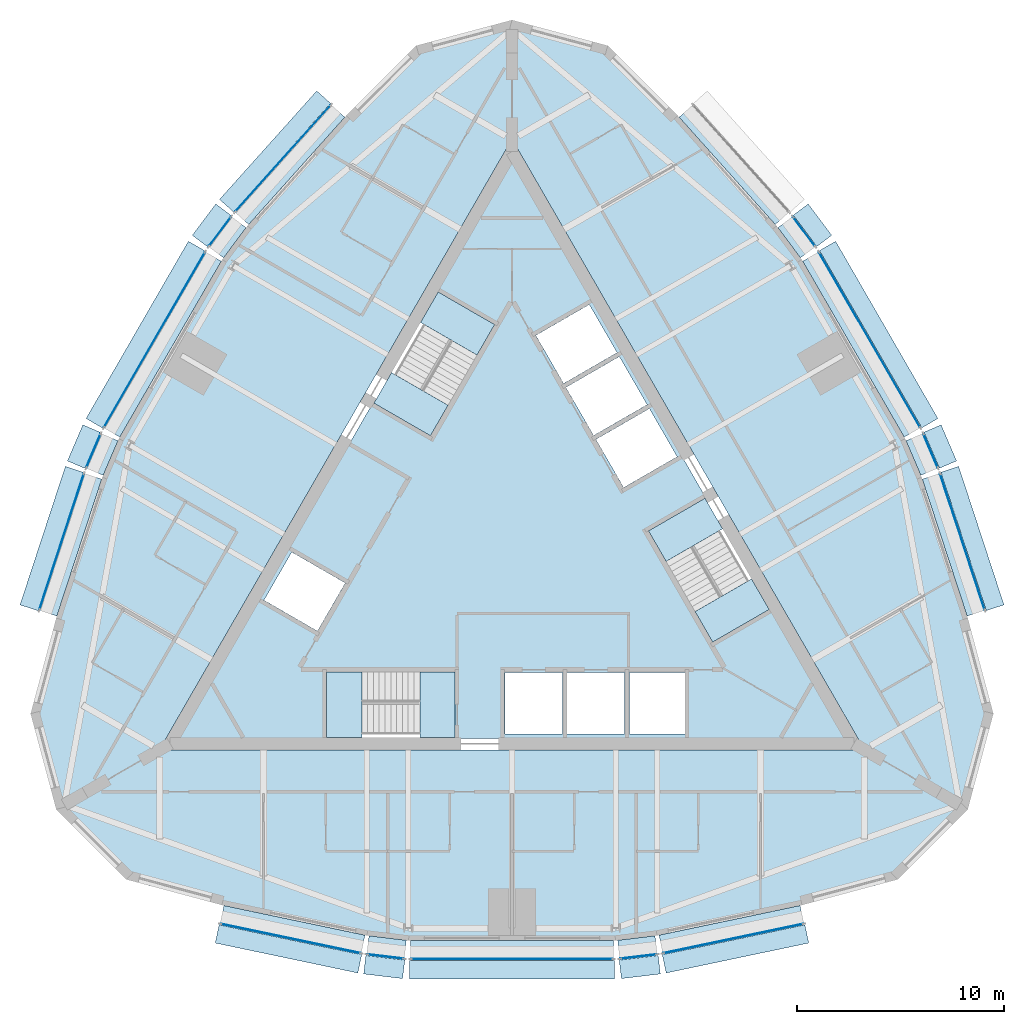
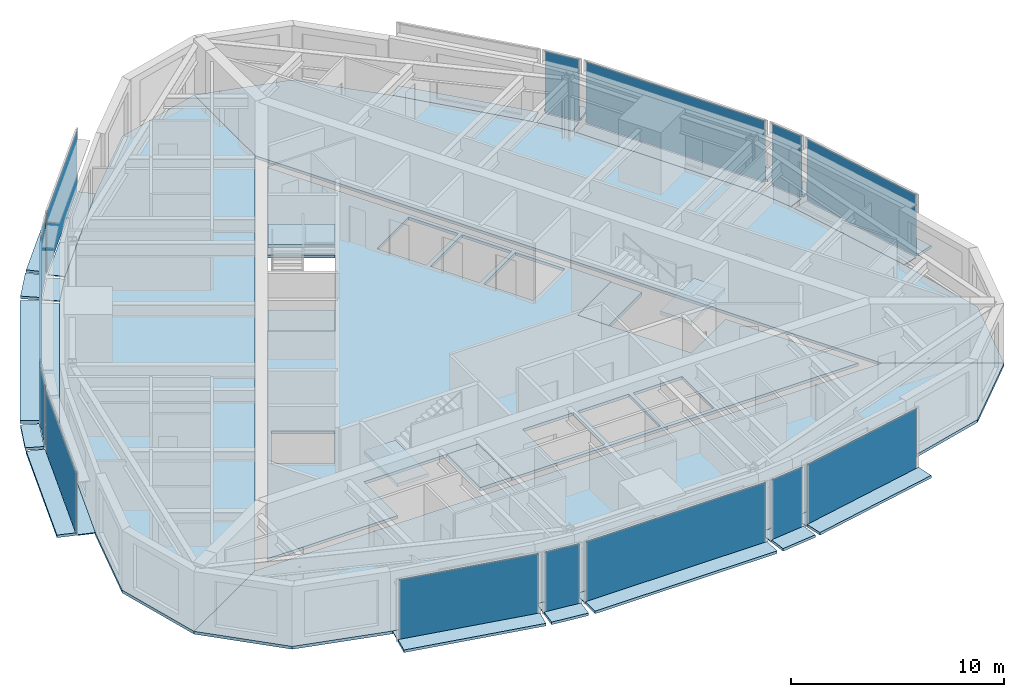
# One storey, part 6 of 12: 43 plates, 10 slabs, 17 elements without a shape of their own.
"""IFC4 building model written with IfcOpenShell, lengths in metres."""

from ifc_helpers import new_model, si_unit, direction, frame, origin, origin_2d, place, context, subcontext, project, spatial, polyline, rectangle, outline, extrude, material, layer, layer_set, type_object, element, aggregate, save


model = new_model("IFC4")

# Units and contexts
model_context = context("Model", 3, precision=1e-05, world=origin(), true_north=direction((0.0, 1.0)))
body_context = subcontext(model_context, "Body", "Model", "MODEL_VIEW")
ifc_project = project(units=[si_unit("LENGTHUNIT", "METRE"), si_unit("AREAUNIT", "SQUARE_METRE"), si_unit("VOLUMEUNIT", "CUBIC_METRE"), si_unit("PLANEANGLEUNIT", "RADIAN"), si_unit("MASSUNIT", "GRAM", prefix="KILO")], contexts=[model_context])

# Site, building, storey
site_placement = place(None, origin())
site = spatial("IfcSite", under=ifc_project, at=site_placement, CompositionType="ELEMENT")
building_placement = place(site_placement, origin())
building = spatial("IfcBuilding", under=site, at=building_placement, Name="Trikona Tower", CompositionType="ELEMENT")
storey_placement = place(building_placement, frame((0.0, 0.0, 260.89990234375)))
storey = spatial("IfcBuildingStorey", under=building, at=storey_placement, Name="L69", CompositionType="ELEMENT", Elevation=260.89990234375)

# Plates
ifc_material_1 = material(Name="Aluminium bar grating", Category="aluminium")
ifc_layer_1 = layer(ifc_material_1, 0.050048828125)
ifc_layer_set_1 = layer_set([ifc_layer_1], Name="Cavity catwalk grating")
plate_type_1 = type_object("IfcPlateType", Name="Cavity catwalk grating", PredefinedType="USERDEFINED", material=ifc_layer_set_1)
plate_1_placement = place(storey_placement, frame((-10.586181640625, -18.466552734375, -0.0498046875), z_axis=(0.0, 0.0, 1.0), x_axis=(0.97865342171, -0.205517590916, 0.0)))
element("IfcPlate", 1, at=plate_1_placement, inside=storey, type_object=plate_type_1, Name="Cavity catwalk L69-00", ObjectType="CATWALK GRATING", PredefinedType="USERDEFINED", context=body_context, shape_type="SweptSolid", body=[
    extrude(rectangle(XDim=6.95263671875, YDim=0.840087890625, at=origin_2d()), origin(), (0.0, 0.0, 1.0), 0.050048828125),
])
plate_2_placement = place(storey_placement, frame((-6.050048828125, -19.327392578125, -0.0498046875), z_axis=(0.0, 0.0, 1.0), x_axis=(0.992876783199, -0.11914568135, 0.0)))
element("IfcPlate", 2, at=plate_2_placement, inside=storey, type_object=plate_type_1, Name="Cavity catwalk L69-01", ObjectType="CATWALK GRATING", PredefinedType="USERDEFINED", context=body_context, shape_type="SweptSolid", body=[
    extrude(rectangle(XDim=1.814208984375, YDim=0.840087890625, at=origin_2d()), origin(), (0.0, 0.0, 1.0), 0.050048828125),
])
plate_3_placement = place(storey_placement, frame((0.0, -19.450439453125, -0.0498046875), z_axis=(0.0, 0.0, 1.0), x_axis=(1.0, 0.0, 0.0)))
element("IfcPlate", 3, at=plate_3_placement, inside=storey, type_object=plate_type_1, Name="Cavity catwalk L69-02", ObjectType="CATWALK GRATING", PredefinedType="USERDEFINED", context=body_context, shape_type="SweptSolid", body=[
    extrude(rectangle(XDim=9.800048828125, YDim=0.840087890625, at=origin_2d()), origin(), (0.0, 0.0, 1.0), 0.050048828125),
])
plate_4_placement = place(storey_placement, frame((6.050048828125, -19.327392578125, -0.0498046875), z_axis=(0.0, 0.0, 1.0), x_axis=(0.992876783199, 0.11914568135, 0.0)))
element("IfcPlate", 4, at=plate_4_placement, inside=storey, type_object=plate_type_1, Name="Cavity catwalk L69-03", ObjectType="CATWALK GRATING", PredefinedType="USERDEFINED", context=body_context, shape_type="SweptSolid", body=[
    extrude(rectangle(XDim=1.814208984375, YDim=0.840087890625, at=origin_2d()), origin(), (0.0, 0.0, 1.0), 0.050048828125),
])
for number, where, z_axis, x_axis, name in (
    (5, (10.586181640625, -18.466552734375, -0.0498046875), (0.0, 0.0, 1.0), (0.97865342171, 0.205517590916, 0.0), "Cavity catwalk L69-04"),
    (6, (21.28564453125, 0.065185546875, -0.0498046875), (0.0, 0.0, 1.0), (-0.311336621861, 0.950299693722, 0.0), "Cavity catwalk L69-09"),
):
    element("IfcPlate", number, at=place(storey_placement, frame(where, z_axis=z_axis, x_axis=x_axis)), inside=storey, type_object=plate_type_1, Name=name, ObjectType="CATWALK GRATING", PredefinedType="USERDEFINED", context=body_context, shape_type="SweptSolid", body=[
        extrude(rectangle(XDim=6.95263671875, YDim=0.840087890625, at=origin_2d()), origin(), (0.0, 0.0, 1.0), 0.050048828125),
    ])
plate_5_placement = place(storey_placement, frame((19.76318359375, 4.42431640625, -0.0498046875), z_axis=(0.0, 0.0, 1.0), x_axis=(-0.39328408933, 0.919417002823, 0.0)))
element("IfcPlate", 7, at=plate_5_placement, inside=storey, type_object=plate_type_1, Name="Cavity catwalk L69-10", ObjectType="CATWALK GRATING", PredefinedType="USERDEFINED", context=body_context, shape_type="SweptSolid", body=[
    extrude(rectangle(XDim=1.814208984375, YDim=0.840087890625, at=origin_2d()), origin(), (0.0, 0.0, 1.0), 0.050048828125),
])
plate_6_placement = place(storey_placement, frame((16.844482421875, 9.72509765625, -0.0498046875), z_axis=(0.0, 0.0, 1.0), x_axis=(-0.4999984885, 0.866026276448, 0.0)))
element("IfcPlate", 8, at=plate_6_placement, inside=storey, type_object=plate_type_1, Name="Cavity catwalk L69-11", ObjectType="CATWALK GRATING", PredefinedType="USERDEFINED", context=body_context, shape_type="SweptSolid", body=[
    extrude(rectangle(XDim=9.800048828125, YDim=0.840087890625, at=origin_2d()), origin(), (0.0, 0.0, 1.0), 0.050048828125),
])
plate_7_placement = place(storey_placement, frame((13.713134765625, 14.9033203125, -0.0498046875), z_axis=(0.0, 0.0, 1.0), x_axis=(-0.599618784879, 0.800285769472, 0.0)))
element("IfcPlate", 9, at=plate_7_placement, inside=storey, type_object=plate_type_1, Name="Cavity catwalk L69-12", ObjectType="CATWALK GRATING", PredefinedType="USERDEFINED", context=body_context, shape_type="SweptSolid", body=[
    extrude(rectangle(XDim=1.814208984375, YDim=0.840087890625, at=origin_2d()), origin(), (0.0, 0.0, 1.0), 0.050048828125),
])
for number, where, z_axis, x_axis, name in (
    (10, (10.699462890625, 18.4013671875, -0.0498046875), (0.0, 0.0, 1.0), (-0.667311465398, 0.744778764566, 0.0), "Cavity catwalk L69-13"),
    (11, (-10.699462890625, 18.4013671875, -0.0498046875), (0.0, 0.0, 1.0), (-0.667311465398, -0.744778764566, 0.0), "Cavity catwalk L69-18"),
):
    element("IfcPlate", number, at=place(storey_placement, frame(where, z_axis=z_axis, x_axis=x_axis)), inside=storey, type_object=plate_type_1, Name=name, ObjectType="CATWALK GRATING", PredefinedType="USERDEFINED", context=body_context, shape_type="SweptSolid", body=[
        extrude(rectangle(XDim=6.95263671875, YDim=0.840087890625, at=origin_2d()), origin(), (0.0, 0.0, 1.0), 0.050048828125),
    ])
plate_8_placement = place(storey_placement, frame((-13.713134765625, 14.9033203125, -0.0498046875), z_axis=(0.0, 0.0, 1.0), x_axis=(-0.599618784879, -0.800285769472, 0.0)))
element("IfcPlate", 12, at=plate_8_placement, inside=storey, type_object=plate_type_1, Name="Cavity catwalk L69-19", ObjectType="CATWALK GRATING", PredefinedType="USERDEFINED", context=body_context, shape_type="SweptSolid", body=[
    extrude(rectangle(XDim=1.814208984375, YDim=0.840087890625, at=origin_2d()), origin(), (0.0, 0.0, 1.0), 0.050048828125),
])
plate_9_placement = place(storey_placement, frame((-16.844482421875, 9.72509765625, -0.0498046875), z_axis=(0.0, 0.0, 1.0), x_axis=(-0.4999984885, -0.866026276448, 0.0)))
element("IfcPlate", 13, at=plate_9_placement, inside=storey, type_object=plate_type_1, Name="Cavity catwalk L69-20", ObjectType="CATWALK GRATING", PredefinedType="USERDEFINED", context=body_context, shape_type="SweptSolid", body=[
    extrude(rectangle(XDim=9.800048828125, YDim=0.840087890625, at=origin_2d()), origin(), (0.0, 0.0, 1.0), 0.050048828125),
])
plate_10_placement = place(storey_placement, frame((-19.76318359375, 4.42431640625, -0.0498046875), z_axis=(0.0, 0.0, 1.0), x_axis=(-0.39328408933, -0.919417002823, 0.0)))
element("IfcPlate", 14, at=plate_10_placement, inside=storey, type_object=plate_type_1, Name="Cavity catwalk L69-21", ObjectType="CATWALK GRATING", PredefinedType="USERDEFINED", context=body_context, shape_type="SweptSolid", body=[
    extrude(rectangle(XDim=1.814208984375, YDim=0.840087890625, at=origin_2d()), origin(), (0.0, 0.0, 1.0), 0.050048828125),
])
plate_11_placement = place(storey_placement, frame((-21.28564453125, 0.065185546875, -0.0498046875), z_axis=(0.0, 0.0, 1.0), x_axis=(-0.311336621861, -0.950299693722, 0.0)))
element("IfcPlate", 15, at=plate_11_placement, inside=storey, type_object=plate_type_1, Name="Cavity catwalk L69-22", ObjectType="CATWALK GRATING", PredefinedType="USERDEFINED", context=body_context, shape_type="SweptSolid", body=[
    extrude(rectangle(XDim=6.95263671875, YDim=0.840087890625, at=origin_2d()), origin(), (0.0, 0.0, 1.0), 0.050048828125),
])

# Slabs
ifc_material_2 = material(Name="Concrete f'c 5000 psi lightweight on composite steel deck", Category="concrete")
ifc_layer_2 = layer(ifc_material_2, 0.1650390625)
ifc_layer_set_2 = layer_set([ifc_layer_2], Name="Composite floor slab 165")
slab_type_1 = type_object("IfcSlabType", Name="Composite floor slab 165", PredefinedType="FLOOR", material=ifc_layer_set_2)
slab_1_placement = place(storey_placement, frame((0.0, 0.0, -0.164794921875)))
element("IfcSlab", 16, at=slab_1_placement, inside=storey, type_object=slab_type_1, Name="Floor slab L69 core", PredefinedType="FLOOR", context=body_context, shape_type="SweptSolid", body=[
    extrude(outline(polyline([(-16.06689453125, -9.2763671875), (-8.949951171875, -9.2763671875), (-8.949951171875, -6.076416015625), (-2.75, -6.076416015625), (-2.75, -9.2763671875), (16.06689453125, -9.2763671875), (12.45849609375, -3.026123046875), (9.687255859375, -4.626220703125), (6.587158203125, 0.7431640625), (9.3583984375, 2.34326171875), (0.0, 18.552490234375), (-3.6083984375, 12.302490234375), (-0.837158203125, 10.702392578125), (-3.937255859375, 5.3330078125), (-6.70849609375, 6.93310546875), (-16.06689453125, -9.2763671875)]), holes=[polyline([(5.659912109375, -6.086181640625), (5.659912109375, -9.06640625), (8.340087890625, -9.06640625), (8.340087890625, -6.086181640625), (5.659912109375, -6.086181640625)]), polyline([(6.631591796875, 6.646240234375), (4.05078125, 5.15625), (5.390869140625, 2.835205078125), (7.9716796875, 4.3251953125), (6.631591796875, 6.646240234375)]), polyline([(6.521484375, 6.8369140625), (5.181640625, 9.15771484375), (2.600830078125, 7.667724609375), (3.94091796875, 5.3466796875), (6.521484375, 6.8369140625)]), polyline([(2.659912109375, -9.06640625), (5.43994140625, -9.06640625), (5.43994140625, -6.086181640625), (2.659912109375, -6.086181640625), (2.659912109375, -9.06640625)]), polyline([(2.490966796875, 7.858154296875), (5.071533203125, 9.34814453125), (3.731689453125, 11.669189453125), (1.15087890625, 10.17919921875), (2.490966796875, 7.858154296875)]), polyline([(2.43994140625, -9.06640625), (2.43994140625, -6.086181640625), (-0.340087890625, -6.086181640625), (-0.340087890625, -9.06640625), (2.43994140625, -9.06640625)]), polyline([(-11.9716796875, -2.602783203125), (-9.390869140625, -4.093017578125), (-8.05078125, -1.77197265625), (-10.631591796875, -0.281982421875), (-11.9716796875, -2.602783203125)])]), origin(), (0.0, 0.0, 1.0), 0.164794921875),
])
slab_2_placement = place(storey_placement, frame((0.0, 0.0, -0.164794921875)))
element("IfcSlab", 17, at=slab_2_placement, inside=storey, type_object=slab_type_1, Name="Floor slab L69 south", PredefinedType="FLOOR", context=body_context, shape_type="SweptSolid", body=[
    extrude(outline(polyline([(18.618896484375, -16.0830078125), (22.0, -12.70166015625), (17.01953125, -9.826416015625), (-17.01953125, -9.826416015625), (-22.0, -12.70166015625), (-18.618896484375, -16.0830078125), (-14.0, -17.320556640625), (-7.0, -18.79052734375), (-5.0, -19.030517578125), (5.0, -19.030517578125), (7.0, -18.79052734375), (14.0, -17.320556640625), (18.618896484375, -16.0830078125)])), origin(), (0.0, 0.0, 1.0), 0.164794921875),
])
slab_3_placement = place(storey_placement, frame((0.0, 0.0, -0.164794921875)))
element("IfcSlab", 18, at=slab_3_placement, inside=storey, type_object=slab_type_1, Name="Floor slab L69 north-east", PredefinedType="FLOOR", context=body_context, shape_type="SweptSolid", body=[
    extrude(outline(polyline([(4.618896484375, 24.165771484375), (0.0, 25.4033203125), (0.0, 19.652587890625), (17.01953125, -9.826416015625), (22.0, -12.70166015625), (23.237548828125, -8.0830078125), (22.0, -3.464111328125), (19.773193359375, 3.3330078125), (18.98095703125, 5.18505859375), (13.98095703125, 13.845458984375), (12.773193359375, 15.45751953125), (8.0, 20.78466796875), (4.618896484375, 24.165771484375)])), origin(), (0.0, 0.0, 1.0), 0.164794921875),
])
slab_4_placement = place(storey_placement, frame((0.0, 0.0, -0.164794921875)))
element("IfcSlab", 19, at=slab_4_placement, inside=storey, type_object=slab_type_1, Name="Floor slab L69 north-west", PredefinedType="FLOOR", context=body_context, shape_type="SweptSolid", body=[
    extrude(outline(polyline([(0.0, 19.652587890625), (0.0, 25.4033203125), (-4.618896484375, 24.165771484375), (-8.0, 20.78466796875), (-12.773193359375, 15.45751953125), (-13.98095703125, 13.845458984375), (-18.98095703125, 5.18505859375), (-19.773193359375, 3.3330078125), (-22.0, -3.464111328125), (-23.237548828125, -8.0830078125), (-22.0, -12.70166015625), (-17.01953125, -9.826416015625), (0.0, 19.652587890625)])), origin(), (0.0, 0.0, 1.0), 0.164794921875),
])

# Curtain wall, plate
ifc_material_3 = material(Name="Aluminium curtain wall system", Category="aluminium")
curtain_wall_type = type_object("IfcCurtainWallType", Name="Curtain wall DS3", PredefinedType="NOTDEFINED", material=ifc_material_3)
curtain_wall_1_placement = place(storey_placement, origin())
curtain_wall_1 = element("IfcCurtainWall", 20, at=curtain_wall_1_placement, inside=storey, type_object=curtain_wall_type, Name="Curtain wall DS3 L69", PredefinedType="NOTDEFINED")
ifc_material_4 = material(Name="Laminated clear glass", Category="glass")
ifc_layer_3 = layer(ifc_material_4, 0.028076171875)
ifc_layer_set_3 = layer_set([ifc_layer_3], Name="Glass panel DS3")
plate_type_2 = type_object("IfcPlateType", Name="Glass panel DS3", PredefinedType="CURTAIN_PANEL", material=ifc_layer_set_3)
plate_12_placement = place(storey_placement, frame((-10.68505859375, -18.936279296875, 0.0), z_axis=(0.0, 0.0, 1.0), x_axis=(0.978651351583, -0.205527448396, 0.0)))
plate_12 = element("IfcPlate", 21, at=plate_12_placement, type_object=plate_type_2, Name="CW-DS3 panel 1.1", PredefinedType="CURTAIN_PANEL", context=body_context, shape_type="SweptSolid", body=[
    extrude(rectangle(XDim=6.892578125, YDim=0.028076171875, at=origin_2d()), origin(), (0.0, 0.0, 1.0), 3.530029296875),
])
aggregate(curtain_wall_1, [plate_12])

curtain_wall_2_placement = place(storey_placement, origin())
curtain_wall_2 = element("IfcCurtainWall", 22, at=curtain_wall_2_placement, inside=storey, type_object=curtain_wall_type, Name="Curtain wall DS3 L69", PredefinedType="NOTDEFINED")
plate_13_placement = place(storey_placement, frame((-6.107177734375, -19.803955078125, 0.0), z_axis=(0.0, 0.0, 1.0), x_axis=(0.992877338043, -0.119141057581, 0.0)))
plate_13 = element("IfcPlate", 23, at=plate_13_placement, type_object=plate_type_2, Name="CW-DS3 panel 1.1", PredefinedType="CURTAIN_PANEL", context=body_context, shape_type="SweptSolid", body=[
    extrude(rectangle(XDim=1.75439453125, YDim=0.028076171875, at=origin_2d()), origin(), (0.0, 0.0, 1.0), 3.530029296875),
])
aggregate(curtain_wall_2, [plate_13])

curtain_wall_3_placement = place(storey_placement, origin())
curtain_wall_3 = element("IfcCurtainWall", 24, at=curtain_wall_3_placement, inside=storey, type_object=curtain_wall_type, Name="Curtain wall DS3 L69", PredefinedType="NOTDEFINED")
plate_14_placement = place(storey_placement, frame((0.0, -19.930419921875, 0.0), z_axis=(0.0, 0.0, 1.0), x_axis=(1.0, 0.0, 0.0)))
plate_14 = element("IfcPlate", 25, at=plate_14_placement, type_object=plate_type_2, Name="CW-DS3 panel 1.1", PredefinedType="CURTAIN_PANEL", context=body_context, shape_type="SweptSolid", body=[
    extrude(rectangle(XDim=9.739990234375, YDim=0.028076171875, at=origin_2d()), origin(), (0.0, 0.0, 1.0), 3.530029296875),
])
aggregate(curtain_wall_3, [plate_14])

curtain_wall_4_placement = place(storey_placement, origin())
curtain_wall_4 = element("IfcCurtainWall", 26, at=curtain_wall_4_placement, inside=storey, type_object=curtain_wall_type, Name="Curtain wall DS3 L69", PredefinedType="NOTDEFINED")
plate_15_placement = place(storey_placement, frame((6.107177734375, -19.803955078125, 0.0), z_axis=(0.0, 0.0, 1.0), x_axis=(0.992877338043, 0.119141057581, 0.0)))
plate_15 = element("IfcPlate", 27, at=plate_15_placement, type_object=plate_type_2, Name="CW-DS3 panel 1.1", PredefinedType="CURTAIN_PANEL", context=body_context, shape_type="SweptSolid", body=[
    extrude(rectangle(XDim=1.75439453125, YDim=0.028076171875, at=origin_2d()), origin(), (0.0, 0.0, 1.0), 3.530029296875),
])
aggregate(curtain_wall_4, [plate_15])

curtain_wall_5_placement = place(storey_placement, origin())
curtain_wall_5 = element("IfcCurtainWall", 28, at=curtain_wall_5_placement, inside=storey, type_object=curtain_wall_type, Name="Curtain wall DS3 L69", PredefinedType="NOTDEFINED")
plate_16_placement = place(storey_placement, frame((10.68505859375, -18.936279296875, 0.0), z_axis=(0.0, 0.0, 1.0), x_axis=(0.978651351583, 0.205527448396, 0.0)))
plate_16 = element("IfcPlate", 29, at=plate_16_placement, type_object=plate_type_2, Name="CW-DS3 panel 1.1", PredefinedType="CURTAIN_PANEL", context=body_context, shape_type="SweptSolid", body=[
    extrude(rectangle(XDim=6.892578125, YDim=0.028076171875, at=origin_2d()), origin(), (0.0, 0.0, 1.0), 3.530029296875),
])
aggregate(curtain_wall_5, [plate_16])

curtain_wall_6_placement = place(storey_placement, origin())
curtain_wall_6 = element("IfcCurtainWall", 30, at=curtain_wall_6_placement, inside=storey, type_object=curtain_wall_type, Name="Curtain wall DS3 L69", PredefinedType="NOTDEFINED")
plate_17_placement = place(storey_placement, frame((21.74169921875, 0.214599609375, 0.0), z_axis=(0.0, 0.0, 1.0), x_axis=(-0.311343553515, 0.95029742275, 0.0)))
plate_17 = element("IfcPlate", 31, at=plate_17_placement, type_object=plate_type_2, Name="CW-DS3 panel 1.1", PredefinedType="CURTAIN_PANEL", context=body_context, shape_type="SweptSolid", body=[
    extrude(rectangle(XDim=6.892822265625, YDim=0.028076171875, at=origin_2d()), origin(), (0.0, 0.0, 1.0), 3.530029296875),
])
aggregate(curtain_wall_6, [plate_17])

curtain_wall_7_placement = place(storey_placement, origin())
curtain_wall_7 = element("IfcCurtainWall", 32, at=curtain_wall_7_placement, inside=storey, type_object=curtain_wall_type, Name="Curtain wall DS3 L69", PredefinedType="NOTDEFINED")
plate_18_placement = place(storey_placement, frame((20.20458984375, 4.613037109375, 0.0), z_axis=(0.0, 0.0, 1.0), x_axis=(-0.393275726143, 0.919420580163, 0.0)))
plate_18 = element("IfcPlate", 33, at=plate_18_placement, type_object=plate_type_2, Name="CW-DS3 panel 1.1", PredefinedType="CURTAIN_PANEL", context=body_context, shape_type="SweptSolid", body=[
    extrude(rectangle(XDim=1.75439453125, YDim=0.028076171875, at=origin_2d()), origin(), (0.0, 0.0, 1.0), 3.530029296875),
])
aggregate(curtain_wall_7, [plate_18])

curtain_wall_8_placement = place(storey_placement, origin())
curtain_wall_8 = element("IfcCurtainWall", 34, at=curtain_wall_8_placement, inside=storey, type_object=curtain_wall_type, Name="Curtain wall DS3 L69", PredefinedType="NOTDEFINED")
plate_19_placement = place(storey_placement, frame((17.26025390625, 9.96533203125, 0.0), z_axis=(0.0, 0.0, 1.0), x_axis=(-0.500001358187, 0.866024619633, 0.0)))
plate_19 = element("IfcPlate", 35, at=plate_19_placement, type_object=plate_type_2, Name="CW-DS3 panel 1.1", PredefinedType="CURTAIN_PANEL", context=body_context, shape_type="SweptSolid", body=[
    extrude(rectangle(XDim=9.739990234375, YDim=0.028076171875, at=origin_2d()), origin(), (0.0, 0.0, 1.0), 3.530029296875),
])
aggregate(curtain_wall_8, [plate_19])

curtain_wall_9_placement = place(storey_placement, origin())
curtain_wall_9 = element("IfcCurtainWall", 36, at=curtain_wall_9_placement, inside=storey, type_object=curtain_wall_type, Name="Curtain wall DS3 L69", PredefinedType="NOTDEFINED")
plate_20_placement = place(storey_placement, frame((14.09716796875, 15.191162109375, 0.0), z_axis=(0.0, 0.0, 1.0), x_axis=(-0.599653634435, 0.800259657055, 0.0)))
plate_20 = element("IfcPlate", 37, at=plate_20_placement, type_object=plate_type_2, Name="CW-DS3 panel 1.1", PredefinedType="CURTAIN_PANEL", context=body_context, shape_type="SweptSolid", body=[
    extrude(rectangle(XDim=1.754150390625, YDim=0.028076171875, at=origin_2d()), origin(), (0.0, 0.0, 1.0), 3.530029296875),
])
aggregate(curtain_wall_9, [plate_20])

curtain_wall_10_placement = place(storey_placement, origin())
curtain_wall_10 = element("IfcCurtainWall", 38, at=curtain_wall_10_placement, inside=storey, type_object=curtain_wall_type, Name="Curtain wall DS3 L69", PredefinedType="NOTDEFINED")
plate_21_placement = place(storey_placement, frame((-11.056884765625, 18.7216796875, 0.0), z_axis=(0.0, 0.0, 1.0), x_axis=(-0.667319643748, -0.744771436797, 0.0)))
plate_21 = element("IfcPlate", 39, at=plate_21_placement, type_object=plate_type_2, Name="CW-DS3 panel 1.1", PredefinedType="CURTAIN_PANEL", context=body_context, shape_type="SweptSolid", body=[
    extrude(rectangle(XDim=6.892822265625, YDim=0.028076171875, at=origin_2d()), origin(), (0.0, 0.0, 1.0), 3.530029296875),
])
aggregate(curtain_wall_10, [plate_21])

curtain_wall_11_placement = place(storey_placement, origin())
curtain_wall_11 = element("IfcCurtainWall", 40, at=curtain_wall_11_placement, inside=storey, type_object=curtain_wall_type, Name="Curtain wall DS3 L69", PredefinedType="NOTDEFINED")
plate_22_placement = place(storey_placement, frame((-14.09716796875, 15.191162109375, 0.0), z_axis=(0.0, 0.0, 1.0), x_axis=(-0.599653634435, -0.800259657055, 0.0)))
plate_22 = element("IfcPlate", 41, at=plate_22_placement, type_object=plate_type_2, Name="CW-DS3 panel 1.1", PredefinedType="CURTAIN_PANEL", context=body_context, shape_type="SweptSolid", body=[
    extrude(rectangle(XDim=1.754150390625, YDim=0.028076171875, at=origin_2d()), origin(), (0.0, 0.0, 1.0), 3.530029296875),
])
aggregate(curtain_wall_11, [plate_22])

curtain_wall_12_placement = place(storey_placement, origin())
curtain_wall_12 = element("IfcCurtainWall", 42, at=curtain_wall_12_placement, inside=storey, type_object=curtain_wall_type, Name="Curtain wall DS3 L69", PredefinedType="NOTDEFINED")
plate_23_placement = place(storey_placement, frame((-17.26025390625, 9.96533203125, 0.0), z_axis=(0.0, 0.0, 1.0), x_axis=(-0.500001358187, -0.866024619633, 0.0)))
plate_23 = element("IfcPlate", 43, at=plate_23_placement, type_object=plate_type_2, Name="CW-DS3 panel 1.1", PredefinedType="CURTAIN_PANEL", context=body_context, shape_type="SweptSolid", body=[
    extrude(rectangle(XDim=9.739990234375, YDim=0.028076171875, at=origin_2d()), origin(), (0.0, 0.0, 1.0), 3.530029296875),
])
aggregate(curtain_wall_12, [plate_23])

curtain_wall_13_placement = place(storey_placement, origin())
curtain_wall_13 = element("IfcCurtainWall", 44, at=curtain_wall_13_placement, inside=storey, type_object=curtain_wall_type, Name="Curtain wall DS3 L69", PredefinedType="NOTDEFINED")
plate_24_placement = place(storey_placement, frame((-20.20458984375, 4.613037109375, 0.0), z_axis=(0.0, 0.0, 1.0), x_axis=(-0.393275726143, -0.919420580163, 0.0)))
plate_24 = element("IfcPlate", 45, at=plate_24_placement, type_object=plate_type_2, Name="CW-DS3 panel 1.1", PredefinedType="CURTAIN_PANEL", context=body_context, shape_type="SweptSolid", body=[
    extrude(rectangle(XDim=1.75439453125, YDim=0.028076171875, at=origin_2d()), origin(), (0.0, 0.0, 1.0), 3.530029296875),
])
aggregate(curtain_wall_13, [plate_24])

curtain_wall_14_placement = place(storey_placement, origin())
curtain_wall_14 = element("IfcCurtainWall", 46, at=curtain_wall_14_placement, inside=storey, type_object=curtain_wall_type, Name="Curtain wall DS3 L69", PredefinedType="NOTDEFINED")
plate_25_placement = place(storey_placement, frame((-21.74169921875, 0.214599609375, 0.0), z_axis=(0.0, 0.0, 1.0), x_axis=(-0.311343553515, -0.95029742275, 0.0)))
plate_25 = element("IfcPlate", 47, at=plate_25_placement, type_object=plate_type_2, Name="CW-DS3 panel 1.1", PredefinedType="CURTAIN_PANEL", context=body_context, shape_type="SweptSolid", body=[
    extrude(rectangle(XDim=6.892822265625, YDim=0.028076171875, at=origin_2d()), origin(), (0.0, 0.0, 1.0), 3.530029296875),
])
aggregate(curtain_wall_14, [plate_25])

# Plates
ifc_material_5 = material(Name="Aluminium plate fin, pale anodised, on stainless steel outriggers", Category="steel")
ifc_layer_4 = layer(ifc_material_5, 0.14990234375)
ifc_layer_set_4 = layer_set([ifc_layer_4], Name="Outer skin fin 900")
plate_type_3 = type_object("IfcPlateType", Name="Outer skin fin 900", PredefinedType="USERDEFINED", material=ifc_layer_set_4)
plate_26_placement = place(storey_placement, frame((-10.789794921875, -19.435302734375, 0.000244140625), z_axis=(0.0, 0.0, 1.0), x_axis=(0.97865342171, -0.205517590916, 0.0)))
element("IfcPlate", 48, at=plate_26_placement, inside=storey, type_object=plate_type_3, Name="Outer skin fin L69-00", ObjectType="FIN", PredefinedType="USERDEFINED", context=body_context, shape_type="SweptSolid", body=[
    extrude(rectangle(XDim=7.03271484375, YDim=0.89990234375, at=origin_2d()), origin(), (0.0, 0.0, 1.0), 0.14990234375),
])
plate_27_placement = place(storey_placement, frame((-6.16796875, -20.310546875, 0.000244140625), z_axis=(0.0, 0.0, 1.0), x_axis=(0.992876783199, -0.11914568135, 0.0)))
element("IfcPlate", 49, at=plate_27_placement, inside=storey, type_object=plate_type_3, Name="Outer skin fin L69-01", ObjectType="FIN", PredefinedType="USERDEFINED", context=body_context, shape_type="SweptSolid", body=[
    extrude(rectangle(XDim=1.894287109375, YDim=0.89990234375, at=origin_2d()), origin(), (0.0, 0.0, 1.0), 0.14990234375),
])
plate_28_placement = place(storey_placement, frame((0.0, -20.4404296875, 0.000244140625), z_axis=(0.0, 0.0, 1.0), x_axis=(1.0, 0.0, 0.0)))
element("IfcPlate", 50, at=plate_28_placement, inside=storey, type_object=plate_type_3, Name="Outer skin fin L69-02", ObjectType="FIN", PredefinedType="USERDEFINED", context=body_context, shape_type="SweptSolid", body=[
    extrude(rectangle(XDim=9.8798828125, YDim=0.89990234375, at=origin_2d()), origin(), (0.0, 0.0, 1.0), 0.14990234375),
])
plate_29_placement = place(storey_placement, frame((6.16796875, -20.310546875, 0.000244140625), z_axis=(0.0, 0.0, 1.0), x_axis=(0.992876783199, 0.11914568135, 0.0)))
element("IfcPlate", 51, at=plate_29_placement, inside=storey, type_object=plate_type_3, Name="Outer skin fin L69-03", ObjectType="FIN", PredefinedType="USERDEFINED", context=body_context, shape_type="SweptSolid", body=[
    extrude(rectangle(XDim=1.894287109375, YDim=0.89990234375, at=origin_2d()), origin(), (0.0, 0.0, 1.0), 0.14990234375),
])
for number, where, z_axis, x_axis, name in (
    (52, (10.789794921875, -19.435302734375, 0.000244140625), (0.0, 0.0, 1.0), (0.97865342171, 0.205517590916, 0.0), "Outer skin fin L69-04"),
    (53, (22.2265625, 0.37353515625, 0.000244140625), (0.0, 0.0, 1.0), (-0.311336621861, 0.950299693722, 0.0), "Outer skin fin L69-09"),
):
    element("IfcPlate", number, at=place(storey_placement, frame(where, z_axis=z_axis, x_axis=x_axis)), inside=storey, type_object=plate_type_3, Name=name, ObjectType="FIN", PredefinedType="USERDEFINED", context=body_context, shape_type="SweptSolid", body=[
        extrude(rectangle(XDim=7.03271484375, YDim=0.89990234375, at=origin_2d()), origin(), (0.0, 0.0, 1.0), 0.14990234375),
    ])
plate_30_placement = place(storey_placement, frame((20.67333984375, 4.813720703125, 0.000244140625), z_axis=(0.0, 0.0, 1.0), x_axis=(-0.39328408933, 0.919417002823, 0.0)))
element("IfcPlate", 54, at=plate_30_placement, inside=storey, type_object=plate_type_3, Name="Outer skin fin L69-10", ObjectType="FIN", PredefinedType="USERDEFINED", context=body_context, shape_type="SweptSolid", body=[
    extrude(rectangle(XDim=1.894287109375, YDim=0.89990234375, at=origin_2d()), origin(), (0.0, 0.0, 1.0), 0.14990234375),
])
plate_31_placement = place(storey_placement, frame((17.701904296875, 10.22021484375, 0.000244140625), z_axis=(0.0, 0.0, 1.0), x_axis=(-0.4999984885, 0.866026276448, 0.0)))
element("IfcPlate", 55, at=plate_31_placement, inside=storey, type_object=plate_type_3, Name="Outer skin fin L69-11", ObjectType="FIN", PredefinedType="USERDEFINED", context=body_context, shape_type="SweptSolid", body=[
    extrude(rectangle(XDim=9.8798828125, YDim=0.89990234375, at=origin_2d()), origin(), (0.0, 0.0, 1.0), 0.14990234375),
])
plate_32_placement = place(storey_placement, frame((14.50537109375, 15.496826171875, 0.000244140625), z_axis=(0.0, 0.0, 1.0), x_axis=(-0.599618784879, 0.800285769472, 0.0)))
element("IfcPlate", 56, at=plate_32_placement, inside=storey, type_object=plate_type_3, Name="Outer skin fin L69-12", ObjectType="FIN", PredefinedType="USERDEFINED", context=body_context, shape_type="SweptSolid", body=[
    extrude(rectangle(XDim=1.894287109375, YDim=0.89990234375, at=origin_2d()), origin(), (0.0, 0.0, 1.0), 0.14990234375),
])
plate_33_placement = place(storey_placement, frame((-11.436767578125, 19.06201171875, 0.000244140625), z_axis=(0.0, 0.0, 1.0), x_axis=(-0.667311465398, -0.744778764566, 0.0)))
element("IfcPlate", 57, at=plate_33_placement, inside=storey, type_object=plate_type_3, Name="Outer skin fin L69-18", ObjectType="FIN", PredefinedType="USERDEFINED", context=body_context, shape_type="SweptSolid", body=[
    extrude(rectangle(XDim=7.03271484375, YDim=0.89990234375, at=origin_2d()), origin(), (0.0, 0.0, 1.0), 0.14990234375),
])
plate_34_placement = place(storey_placement, frame((-14.50537109375, 15.496826171875, 0.000244140625), z_axis=(0.0, 0.0, 1.0), x_axis=(-0.599618784879, -0.800285769472, 0.0)))
element("IfcPlate", 58, at=plate_34_placement, inside=storey, type_object=plate_type_3, Name="Outer skin fin L69-19", ObjectType="FIN", PredefinedType="USERDEFINED", context=body_context, shape_type="SweptSolid", body=[
    extrude(rectangle(XDim=1.894287109375, YDim=0.89990234375, at=origin_2d()), origin(), (0.0, 0.0, 1.0), 0.14990234375),
])
plate_35_placement = place(storey_placement, frame((-17.701904296875, 10.22021484375, 0.000244140625), z_axis=(0.0, 0.0, 1.0), x_axis=(-0.4999984885, -0.866026276448, 0.0)))
element("IfcPlate", 59, at=plate_35_placement, inside=storey, type_object=plate_type_3, Name="Outer skin fin L69-20", ObjectType="FIN", PredefinedType="USERDEFINED", context=body_context, shape_type="SweptSolid", body=[
    extrude(rectangle(XDim=9.8798828125, YDim=0.89990234375, at=origin_2d()), origin(), (0.0, 0.0, 1.0), 0.14990234375),
])
plate_36_placement = place(storey_placement, frame((-20.67333984375, 4.813720703125, 0.000244140625), z_axis=(0.0, 0.0, 1.0), x_axis=(-0.39328408933, -0.919417002823, 0.0)))
element("IfcPlate", 60, at=plate_36_placement, inside=storey, type_object=plate_type_3, Name="Outer skin fin L69-21", ObjectType="FIN", PredefinedType="USERDEFINED", context=body_context, shape_type="SweptSolid", body=[
    extrude(rectangle(XDim=1.894287109375, YDim=0.89990234375, at=origin_2d()), origin(), (0.0, 0.0, 1.0), 0.14990234375),
])
plate_37_placement = place(storey_placement, frame((-22.2265625, 0.37353515625, 0.000244140625), z_axis=(0.0, 0.0, 1.0), x_axis=(-0.311336621861, -0.950299693722, 0.0)))
element("IfcPlate", 61, at=plate_37_placement, inside=storey, type_object=plate_type_3, Name="Outer skin fin L69-22", ObjectType="FIN", PredefinedType="USERDEFINED", context=body_context, shape_type="SweptSolid", body=[
    extrude(rectangle(XDim=7.03271484375, YDim=0.89990234375, at=origin_2d()), origin(), (0.0, 0.0, 1.0), 0.14990234375),
])

# Stair, slabs
ifc_material_6 = material(Name="Concrete f'c 5000 psi", Category="concrete")
stair_type = type_object("IfcStairType", Name="Core stair", PredefinedType="HALF_TURN_STAIR", material=ifc_material_6)
stair_1_placement = place(storey_placement, origin())
stair_1 = element("IfcStair", 62, at=stair_1_placement, inside=storey, type_object=stair_type, Name="Stair A L69", PredefinedType="HALF_TURN_STAIR")
ifc_material_7 = material(Name="Concrete f'c 5000 psi", Category="concrete")
ifc_layer_5 = layer(ifc_material_7, 0.199951171875)
ifc_layer_set_5 = layer_set([ifc_layer_5], Name="Stair landing 200")
slab_type_2 = type_object("IfcSlabType", Name="Stair landing 200", PredefinedType="LANDING", material=ifc_layer_set_5)
slab_5_placement = place(storey_placement, frame((0.0, 0.0, -0.199951171875)))
slab_5 = element("IfcSlab", 63, at=slab_5_placement, type_object=slab_type_2, Name="ST-A landing 1", PredefinedType="LANDING", context=body_context, shape_type="SweptSolid", body=[
    extrude(outline(polyline([(-4.452880859375, -6.076416015625), (-2.75, -6.076416015625), (-2.75, -9.226318359375), (-4.452880859375, -9.226318359375), (-4.452880859375, -6.076416015625)])), origin(), (0.0, 0.0, 1.0), 0.199951171875),
])
slab_6_placement = place(storey_placement, frame((0.0, 0.0, 1.60009765625)))
slab_6 = element("IfcSlab", 64, at=slab_6_placement, type_object=slab_type_2, Name="ST-A landing 2", PredefinedType="LANDING", context=body_context, shape_type="SweptSolid", body=[
    extrude(outline(polyline([(-8.949951171875, -6.076416015625), (-7.2470703125, -6.076416015625), (-7.2470703125, -9.226318359375), (-8.949951171875, -9.226318359375), (-8.949951171875, -6.076416015625)])), origin(), (0.0, 0.0, 1.0), 0.199951171875),
])
aggregate(stair_1, [slab_5, slab_6])

stair_2_placement = place(storey_placement, origin())
stair_2 = element("IfcStair", 65, at=stair_2_placement, inside=storey, type_object=stair_type, Name="Stair B L69", PredefinedType="HALF_TURN_STAIR")
slab_7_placement = place(storey_placement, frame((0.0, 0.0, -0.199951171875)))
slab_7 = element("IfcSlab", 66, at=slab_7_placement, type_object=slab_type_2, Name="ST-B landing 1", PredefinedType="LANDING", context=body_context, shape_type="SweptSolid", body=[
    extrude(outline(polyline([(7.438720703125, -0.731689453125), (6.587158203125, 0.7431640625), (9.315185546875, 2.318115234375), (10.166748046875, 0.84326171875), (7.438720703125, -0.731689453125)])), origin(), (0.0, 0.0, 1.0), 0.199951171875),
])
slab_8_placement = place(storey_placement, frame((0.0, 0.0, 1.60009765625)))
slab_8 = element("IfcSlab", 67, at=slab_8_placement, type_object=slab_type_2, Name="ST-B landing 2", PredefinedType="LANDING", context=body_context, shape_type="SweptSolid", body=[
    extrude(outline(polyline([(9.687255859375, -4.626220703125), (8.835693359375, -3.1513671875), (11.563720703125, -1.576416015625), (12.415283203125, -3.05126953125), (9.687255859375, -4.626220703125)])), origin(), (0.0, 0.0, 1.0), 0.199951171875),
])
aggregate(stair_2, [slab_7, slab_8])

stair_3_placement = place(storey_placement, origin())
stair_3 = element("IfcStair", 68, at=stair_3_placement, inside=storey, type_object=stair_type, Name="Stair C L69", PredefinedType="HALF_TURN_STAIR")
slab_9_placement = place(storey_placement, frame((0.0, 0.0, -0.199951171875)))
slab_9 = element("IfcSlab", 69, at=slab_9_placement, type_object=slab_type_2, Name="ST-C landing 1", PredefinedType="LANDING", context=body_context, shape_type="SweptSolid", body=[
    extrude(outline(polyline([(-3.085693359375, 6.807861328125), (-3.937255859375, 5.3330078125), (-6.665283203125, 6.908203125), (-5.813720703125, 8.3828125), (-3.085693359375, 6.807861328125)])), origin(), (0.0, 0.0, 1.0), 0.199951171875),
])
slab_10_placement = place(storey_placement, frame((0.0, 0.0, 1.60009765625)))
slab_10 = element("IfcSlab", 70, at=slab_10_placement, type_object=slab_type_2, Name="ST-C landing 2", PredefinedType="LANDING", context=body_context, shape_type="SweptSolid", body=[
    extrude(outline(polyline([(-0.837158203125, 10.702392578125), (-1.688720703125, 9.2275390625), (-4.416748046875, 10.802490234375), (-3.565185546875, 12.277587890625), (-0.837158203125, 10.702392578125)])), origin(), (0.0, 0.0, 1.0), 0.199951171875),
])
aggregate(stair_3, [slab_9, slab_10])

save(model, "model.ifc")
